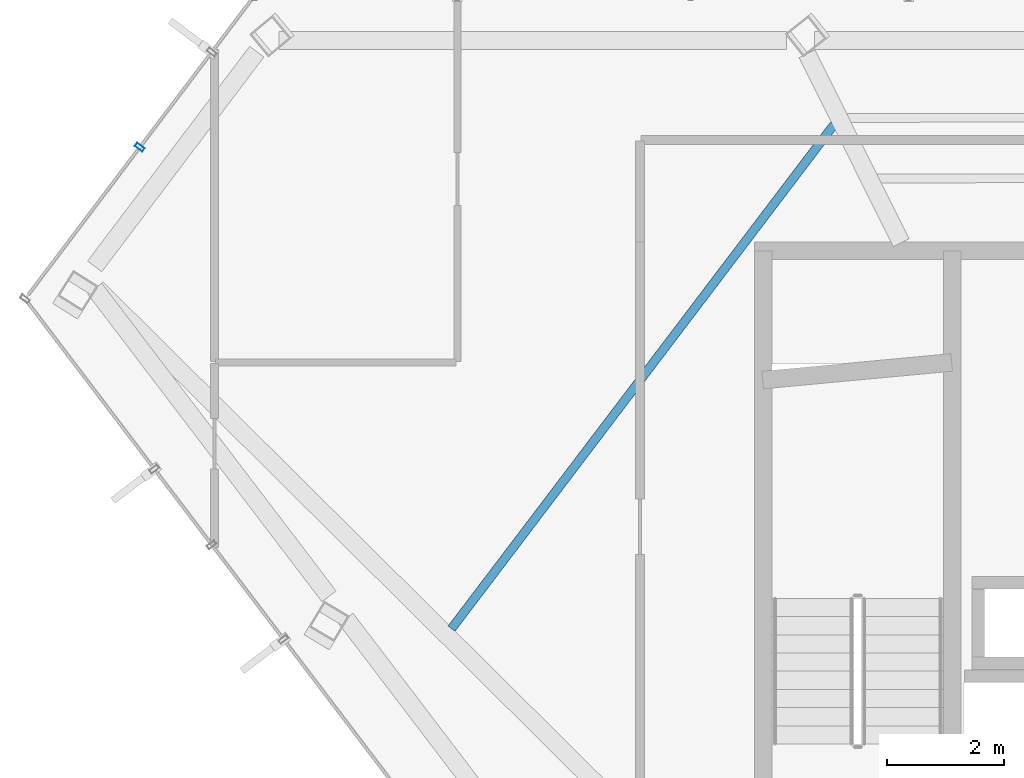
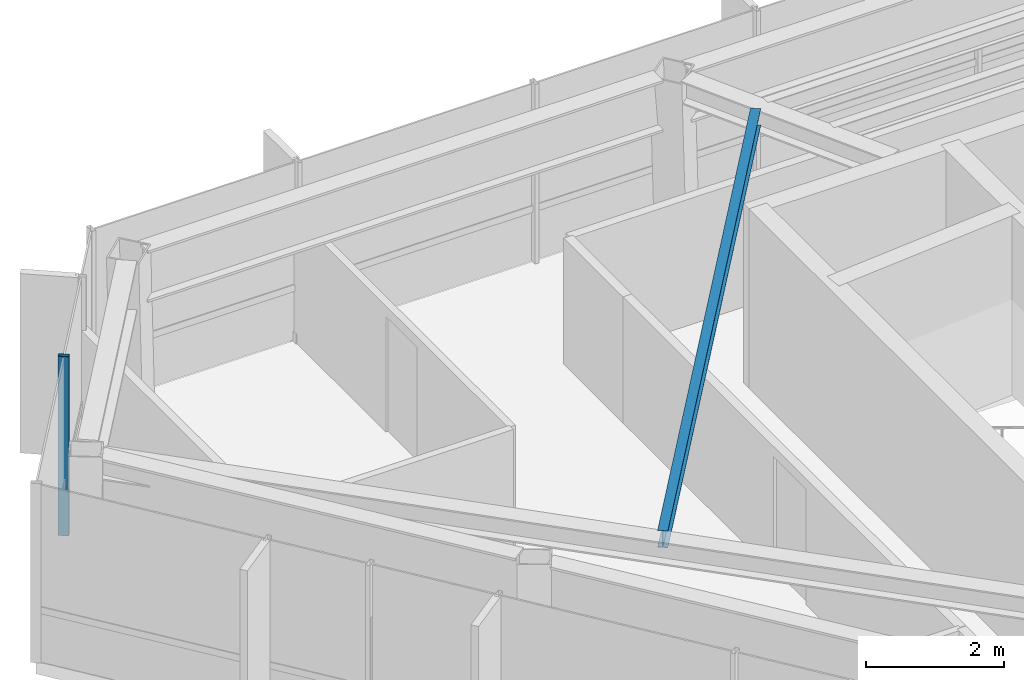
# One storey, part 10 of 25: 1 beam, 1 member, 1 element without a shape of its own.
"""IFC4 building model written with IfcOpenShell, lengths in metres."""

from ifc_helpers import new_model, si_unit, direction, frame, origin, origin_2d, place, context, subcontext, project, spatial, hollow_rectangle, i_section, extrude, material, layer, layer_set, material_profile, profile_set, type_object, element, aggregate, save


model = new_model("IFC4")

# Units and contexts
model_context = context("Model", 3, precision=1e-05, world=origin(), true_north=direction((0.0, 1.0)))
body_context = subcontext(model_context, "Body", "Model", "MODEL_VIEW")
ifc_project = project(units=[si_unit("LENGTHUNIT", "METRE"), si_unit("AREAUNIT", "SQUARE_METRE"), si_unit("VOLUMEUNIT", "CUBIC_METRE"), si_unit("PLANEANGLEUNIT", "RADIAN"), si_unit("MASSUNIT", "GRAM", prefix="KILO")], contexts=[model_context])

# Site, building, storey
site_placement = place(None, origin())
site = spatial("IfcSite", under=ifc_project, at=site_placement, CompositionType="ELEMENT")
building_placement = place(site_placement, origin())
building = spatial("IfcBuilding", under=site, at=building_placement, Name="Zarrinselat Tower", CompositionType="ELEMENT")
storey_placement = place(building_placement, frame((0.0, 0.0, 275.39990234375)))
storey = spatial("IfcBuildingStorey", under=building, at=storey_placement, Name="L70", CompositionType="ELEMENT", Elevation=275.39990234375)

# Beam
ifc_material_1 = material(Name="Steel S355J2", Category="steel")
ifc_material_profile_1 = material_profile(ifc_material_1, i_section(OverallWidth=0.14990234375, OverallDepth=0.300048828125, WebThickness=0.007080078125, FlangeThickness=0.0107421875, at=origin_2d()), Name="IPE 300")
ifc_profile_set_1 = profile_set([ifc_material_profile_1], Name="Steel S355J2")
beam_type = type_object("IfcBeamType", Name="BM-IPE300", PredefinedType="JOIST", material=ifc_profile_set_1)
beam_placement = place(storey_placement, frame((23.341064453125, 36.96630859375, 3.030029296875), z_axis=(0.604513388421, 0.796594980665, 0.0), x_axis=(-0.796594980665, 0.604513388421, 0.0)))
element("IfcBeam", 1, at=beam_placement, inside=storey, type_object=beam_type, Name="L70 Composite Floor Joist 8-1", PredefinedType="JOIST", context=body_context, shape_type="SweptSolid", body=[
    extrude(i_section(OverallWidth=0.14990234375, OverallDepth=0.300048828125, WebThickness=0.007080078125, FlangeThickness=0.0107421875, at=origin_2d()), origin(), (0.0, 0.0, 1.0), 10.7783203125),
])

# Curtain wall, member
ifc_material_2 = material(Name="Extruded Aluminium Alloy EN AW-6063 T6", Category="aluminium")
ifc_layer = layer(ifc_material_2, 0.169921875)
ifc_layer_set = layer_set([ifc_layer], Name="Extruded Aluminium Alloy EN AW-6063 T6")
curtain_wall_type = type_object("IfcCurtainWallType", Name="CWS-RES", PredefinedType="NOTDEFINED", material=ifc_layer_set)
curtain_wall_placement = place(storey_placement, origin())
curtain_wall = element("IfcCurtainWall", 2, at=curtain_wall_placement, inside=storey, type_object=curtain_wall_type, Name="L70 Unitised Curtain Wall CW-L70-E02", PredefinedType="NOTDEFINED")
ifc_material_3 = material(Name="Extruded Aluminium Alloy EN AW-6063 T6", Category="aluminium")
ifc_material_profile_2 = material_profile(ifc_material_3, hollow_rectangle(XDim=0.070068359375, YDim=0.159912109375, WallThickness=0.00390625, at=origin_2d()), Name="RHS 160x70x4")
ifc_profile_set_2 = profile_set([ifc_material_profile_2], Name="Extruded Aluminium Alloy EN AW-6063 T6")
member_type = type_object("IfcMemberType", Name="MEM-CW-MUL2", PredefinedType="MULLION", material=ifc_profile_set_2)
member_placement = place(storey_placement, frame((18.029296875, 45.165771484375, 0.0), z_axis=(0.0, 0.0, 1.0), x_axis=(-0.603180355329, -0.797604826305, 0.0)))
member = element("IfcMember", 3, at=member_placement, type_object=member_type, Name="CW-L70-E02 Mullion 2", PredefinedType="MULLION", context=body_context, shape_type="SweptSolid", body=[
    extrude(hollow_rectangle(XDim=0.070068359375, YDim=0.159912109375, WallThickness=0.00390625, at=origin_2d()), origin(), (0.0, 0.0, 1.0), 3.18017578125),
])
aggregate(curtain_wall, [member])

save(model, "model.ifc")
